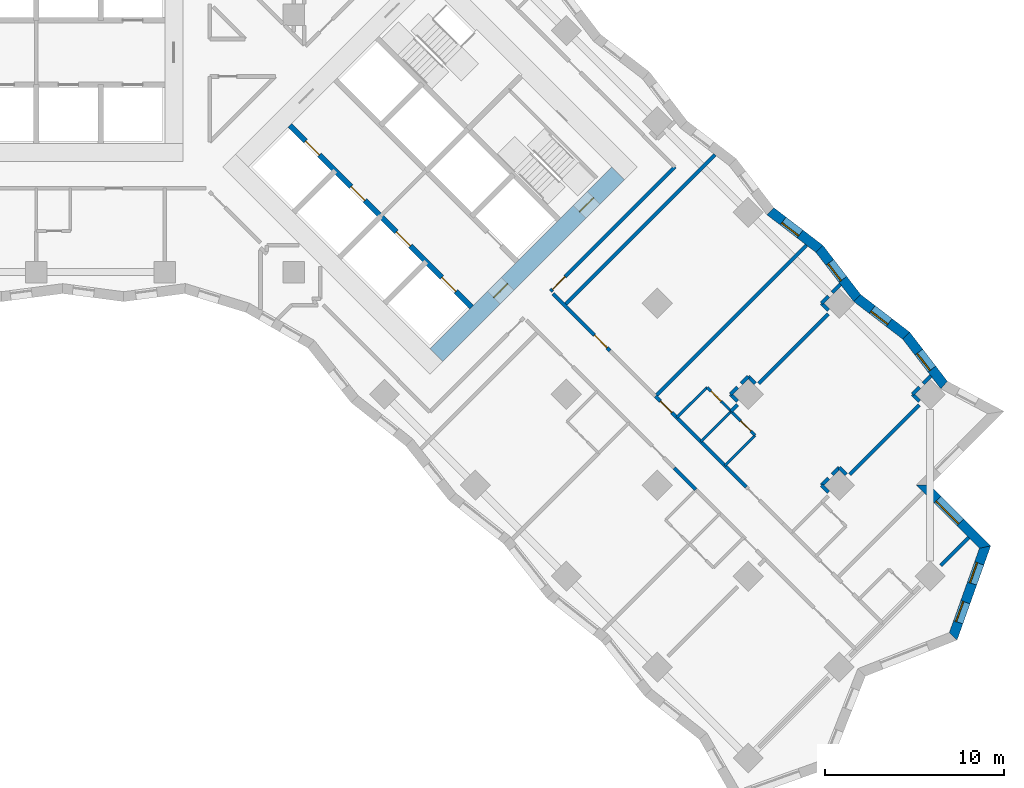
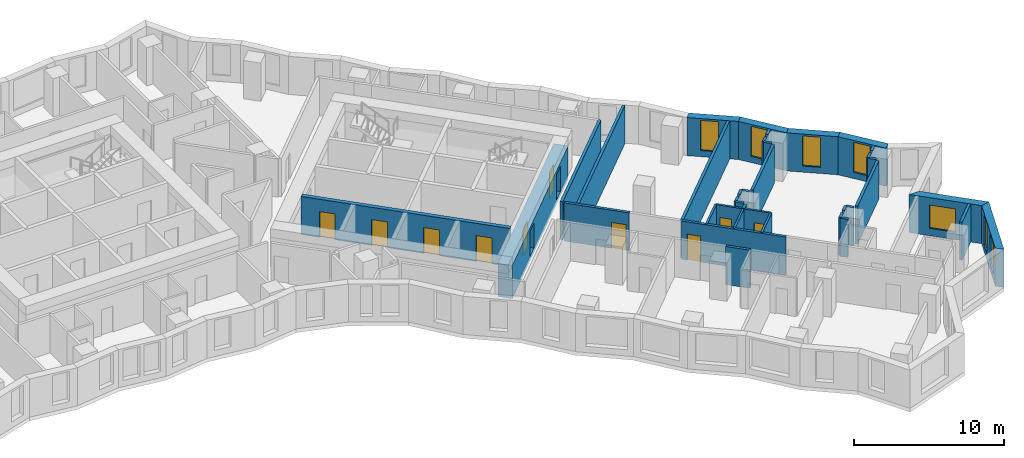
# One storey, part 9 of 14: 37 walls, 11 doors, 7 windows, 18 openings.
"""IFC4 building model written with IfcOpenShell, lengths in metres."""

from ifc_helpers import new_model, si_unit, direction, frame, frame_2d, origin, place, context, subcontext, project, spatial, polyline, rectangle, outline, extrude, material, layer, layer_set, type_object, element, fill, save


model = new_model("IFC4")

# Units and contexts
model_context = context("Model", 3, precision=1e-05, world=origin(), true_north=direction((0.0, 1.0)))
body_context = subcontext(model_context, "Body", "Model", "MODEL_VIEW")
ifc_project = project(units=[si_unit("LENGTHUNIT", "METRE"), si_unit("AREAUNIT", "SQUARE_METRE"), si_unit("VOLUMEUNIT", "CUBIC_METRE"), si_unit("PLANEANGLEUNIT", "RADIAN"), si_unit("MASSUNIT", "GRAM", prefix="KILO")], contexts=[model_context])

# Site, building, storey
site_placement = place(None, origin())
site = spatial("IfcSite", under=ifc_project, at=site_placement, CompositionType="ELEMENT")
building_placement = place(site_placement, origin())
building = spatial("IfcBuilding", under=site, at=building_placement, Name="Windrow Commons", CompositionType="ELEMENT")
storey_placement = place(building_placement, frame((0.0, 0.0, 44.0)))
storey = spatial("IfcBuildingStorey", under=building, at=storey_placement, Name="L11", CompositionType="ELEMENT", Elevation=44.0)

# Wall, openings, windows
ifc_material_1 = material(Name="Brick masonry, red clay brick", Category="masonry")
ifc_layer_1 = layer(ifc_material_1, 0.55)
ifc_layer_set_1 = layer_set([ifc_layer_1], Name="Brick facade wall 550")
wall_type_1 = type_object("IfcWallType", Name="Brick facade wall 550", PredefinedType="SOLIDWALL", material=ifc_layer_set_1)
wall_1_placement = place(storey_placement, frame((116.1324, 22.8096, 0.0), z_axis=(0.0, 0.0, 1.0), x_axis=(0.3360509292, 0.9418438156, 0.0)))
wall_1 = element("IfcWall", 1, at=wall_1_placement, inside=storey, type_object=wall_type_1, Name="Brick facade wall L11 4", PredefinedType="SOLIDWALL", context=body_context, shape_type="SweptSolid", body=[
    extrude(outline(polyline([(-0.1249, -0.275), (5.4779, -0.275), (5.13, 0.275), (0.1249, 0.275), (-0.1249, -0.275)])), origin(), (0.0, 0.0, 1.0), 3.1),
])
opening_1_placement = place(wall_1_placement, frame((0.8315, 0.0, 0.5)))
opening_1 = element("IfcOpeningElement", 2, at=opening_1_placement, cuts=wall_1, Name="Opening W7D", PredefinedType="OPENING", context=body_context, shape_type="SweptSolid", body=[
    extrude(rectangle(XDim=1.2, YDim=2.45, at=frame_2d((0.6, 1.225))), frame((0.0, 0.285, 0.0), z_axis=(0.0, -1.0, 0.0), x_axis=(1.0, 0.0, 0.0)), (0.0, 0.0, 1.0), 0.57),
])
opening_2_placement = place(wall_1_placement, frame((3.134, 0.0, 0.5)))
opening_2 = element("IfcOpeningElement", 3, at=opening_2_placement, cuts=wall_1, Name="Opening W7D", PredefinedType="OPENING", context=body_context, shape_type="SweptSolid", body=[
    extrude(rectangle(XDim=1.2, YDim=2.45, at=frame_2d((0.6, 1.225))), frame((0.0, 0.285, 0.0), z_axis=(0.0, -1.0, 0.0), x_axis=(1.0, 0.0, 0.0)), (0.0, 0.0, 1.0), 0.57),
])
ifc_material_2 = material(Name="Clear float glass in anodised aluminium frame", Category="aluminium")
window_type_1 = type_object("IfcWindowType", Name="Window W7 notch 1200x2450", PartitioningType="SINGLE_PANEL", PredefinedType="WINDOW", material=ifc_material_2)
window_1_placement = place(opening_1_placement, origin())
window_1 = element("IfcWindow", 4, at=window_1_placement, inside=storey, type_object=window_type_1, Name="Window L11 4.1", OverallHeight=2.45, OverallWidth=1.2, PartitioningType="SINGLE_PANEL", PredefinedType="WINDOW", context=body_context, shape_type="SweptSolid", body=[
    extrude(rectangle(XDim=1.2, YDim=2.45, at=frame_2d((0.6, 1.225))), frame((0.0, 0.155, 0.0), z_axis=(0.0, -1.0, 0.0), x_axis=(1.0, 0.0, 0.0)), (0.0, 0.0, 1.0), 0.06),
])
fill(opening_1, window_1)
window_2_placement = place(opening_2_placement, origin())
window_2 = element("IfcWindow", 5, at=window_2_placement, inside=storey, type_object=window_type_1, Name="Window L11 4.2", OverallHeight=2.45, OverallWidth=1.2, PartitioningType="SINGLE_PANEL", PredefinedType="WINDOW", context=body_context, shape_type="SweptSolid", body=[
    extrude(rectangle(XDim=1.2, YDim=2.45, at=frame_2d((0.6, 1.225))), frame((0.0, 0.155, 0.0), z_axis=(0.0, -1.0, 0.0), x_axis=(1.0, 0.0, 0.0)), (0.0, 0.0, 1.0), 0.06),
])
fill(opening_2, window_2)

# Wall, opening, window
wall_2_placement = place(storey_placement, frame((117.9148, 27.8051, 0.0), z_axis=(0.0, 0.0, 1.0), x_axis=(-0.7071067812, 0.7071067812, 0.0)))
wall_2 = element("IfcWall", 6, at=wall_2_placement, inside=storey, type_object=wall_type_1, Name="Brick facade wall L11 5", PredefinedType="SOLIDWALL", context=body_context, shape_type="SweptSolid", body=[
    extrude(outline(polyline([(-0.174, -0.275), (4.626, -0.275), (5.176, 0.275), (0.174, 0.275), (-0.174, -0.275)])), origin(), (0.0, 0.0, 1.0), 3.1),
])
opening_3_placement = place(wall_2_placement, frame((1.9635, 0.0, 0.6)))
opening_3 = element("IfcOpeningElement", 7, at=opening_3_placement, cuts=wall_2, Name="Opening W1L", PredefinedType="OPENING", context=body_context, shape_type="SweptSolid", body=[
    extrude(rectangle(XDim=1.8, YDim=1.9, at=frame_2d((0.9, 0.95))), frame((0.0, 0.285, 0.0), z_axis=(0.0, -1.0, 0.0), x_axis=(1.0, 0.0, 0.0)), (0.0, 0.0, 1.0), 0.57),
])
ifc_material_3 = material(Name="Clear float glass in anodised aluminium frame", Category="aluminium")
window_type_2 = type_object("IfcWindowType", Name="Window W1L bedroom 1800x1900", PartitioningType="SINGLE_PANEL", PredefinedType="WINDOW", material=ifc_material_3)
window_3_placement = place(opening_3_placement, origin())
window_3 = element("IfcWindow", 8, at=window_3_placement, inside=storey, type_object=window_type_2, Name="Window L11 5.1", OverallHeight=1.9, OverallWidth=1.8, PartitioningType="SINGLE_PANEL", PredefinedType="WINDOW", context=body_context, shape_type="SweptSolid", body=[
    extrude(rectangle(XDim=1.8, YDim=1.9, at=frame_2d((0.9, 0.95))), frame((0.0, 0.155, 0.0), z_axis=(0.0, -1.0, 0.0), x_axis=(1.0, 0.0, 0.0)), (0.0, 0.0, 1.0), 0.06),
])
fill(opening_3, window_3)

wall_3_placement = place(storey_placement, frame((115.6228, 36.8777, 0.0), z_axis=(0.0, 0.0, 1.0), x_axis=(-0.6089799783, 0.7931855937, 0.0)))
wall_3 = element("IfcWall", 9, at=wall_3_placement, inside=storey, type_object=wall_type_1, Name="Brick facade wall L11 8", PredefinedType="SOLIDWALL", context=body_context, shape_type="SweptSolid", body=[
    extrude(outline(polyline([(0.0597, -0.275), (3.5225, -0.275), (3.4502, 0.275), (-0.0597, 0.275), (0.0597, -0.275)])), origin(), (0.0, 0.0, 1.0), 3.1),
])
opening_4_placement = place(wall_3_placement, frame((1.1251, 0.0, 0.5)))
opening_4 = element("IfcOpeningElement", 10, at=opening_4_placement, cuts=wall_3, Name="Opening W7D", PredefinedType="OPENING", context=body_context, shape_type="SweptSolid", body=[
    extrude(rectangle(XDim=1.2, YDim=2.45, at=frame_2d((0.6, 1.225))), frame((0.0, 0.285, 0.0), z_axis=(0.0, -1.0, 0.0), x_axis=(1.0, 0.0, 0.0)), (0.0, 0.0, 1.0), 0.57),
])
window_4_placement = place(opening_4_placement, origin())
window_4 = element("IfcWindow", 11, at=window_4_placement, inside=storey, type_object=window_type_1, Name="Window L11 8.1", OverallHeight=2.45, OverallWidth=1.2, PartitioningType="SINGLE_PANEL", PredefinedType="WINDOW", context=body_context, shape_type="SweptSolid", body=[
    extrude(rectangle(XDim=1.2, YDim=2.45, at=frame_2d((0.6, 1.225))), frame((0.0, 0.155, 0.0), z_axis=(0.0, -1.0, 0.0), x_axis=(1.0, 0.0, 0.0)), (0.0, 0.0, 1.0), 0.06),
])
fill(opening_4, window_4)

wall_4_placement = place(storey_placement, frame((113.4997, 39.643, 0.0), z_axis=(0.0, 0.0, 1.0), x_axis=(-0.7931776144, 0.6089903711, 0.0)))
wall_4 = element("IfcWall", 12, at=wall_4_placement, inside=storey, type_object=wall_type_1, Name="Brick facade wall L11 9", PredefinedType="SOLIDWALL", context=body_context, shape_type="SweptSolid", body=[
    extrude(outline(polyline([(-0.0361, -0.275), (3.4266, -0.275), (3.4989, 0.275), (0.0361, 0.275), (-0.0361, -0.275)])), origin(), (0.0, 0.0, 1.0), 3.1),
])
opening_5_placement = place(wall_4_placement, frame((1.1995, 0.0, 0.5)))
opening_5 = element("IfcOpeningElement", 13, at=opening_5_placement, cuts=wall_4, Name="Opening W7D", PredefinedType="OPENING", context=body_context, shape_type="SweptSolid", body=[
    extrude(rectangle(XDim=1.2, YDim=2.45, at=frame_2d((0.6, 1.225))), frame((0.0, 0.285, 0.0), z_axis=(0.0, -1.0, 0.0), x_axis=(1.0, 0.0, 0.0)), (0.0, 0.0, 1.0), 0.57),
])
window_5_placement = place(opening_5_placement, origin())
window_5 = element("IfcWindow", 14, at=window_5_placement, inside=storey, type_object=window_type_1, Name="Window L11 9.1", OverallHeight=2.45, OverallWidth=1.2, PartitioningType="SINGLE_PANEL", PredefinedType="WINDOW", context=body_context, shape_type="SweptSolid", body=[
    extrude(rectangle(XDim=1.2, YDim=2.45, at=frame_2d((0.6, 1.225))), frame((0.0, 0.155, 0.0), z_axis=(0.0, -1.0, 0.0), x_axis=(1.0, 0.0, 0.0)), (0.0, 0.0, 1.0), 0.06),
])
fill(opening_5, window_5)

wall_5_placement = place(storey_placement, frame((110.7531, 41.7518, 0.0), z_axis=(0.0, 0.0, 1.0), x_axis=(-0.6090043207, 0.7931669038, 0.0)))
wall_5 = element("IfcWall", 15, at=wall_5_placement, inside=storey, type_object=wall_type_1, Name="Brick facade wall L11 10", PredefinedType="SOLIDWALL", context=body_context, shape_type="SweptSolid", body=[
    extrude(outline(polyline([(0.0361, -0.275), (3.4989, -0.275), (3.4266, 0.275), (-0.0361, 0.275), (0.0361, -0.275)])), origin(), (0.0, 0.0, 1.0), 3.1),
])
opening_6_placement = place(wall_5_placement, frame((1.3155, 0.0, 0.5)))
opening_6 = element("IfcOpeningElement", 16, at=opening_6_placement, cuts=wall_5, Name="Opening W7D", PredefinedType="OPENING", context=body_context, shape_type="SweptSolid", body=[
    extrude(rectangle(XDim=1.2, YDim=2.45, at=frame_2d((0.6, 1.225))), frame((0.0, 0.285, 0.0), z_axis=(0.0, -1.0, 0.0), x_axis=(1.0, 0.0, 0.0)), (0.0, 0.0, 1.0), 0.57),
])
window_6_placement = place(opening_6_placement, origin())
window_6 = element("IfcWindow", 17, at=window_6_placement, inside=storey, type_object=window_type_1, Name="Window L11 10.1", OverallHeight=2.45, OverallWidth=1.2, PartitioningType="SINGLE_PANEL", PredefinedType="WINDOW", context=body_context, shape_type="SweptSolid", body=[
    extrude(rectangle(XDim=1.2, YDim=2.45, at=frame_2d((0.6, 1.225))), frame((0.0, 0.155, 0.0), z_axis=(0.0, -1.0, 0.0), x_axis=(1.0, 0.0, 0.0)), (0.0, 0.0, 1.0), 0.06),
])
fill(opening_6, window_6)

wall_6_placement = place(storey_placement, frame((108.6443, 44.4983, 0.0), z_axis=(0.0, 0.0, 1.0), x_axis=(-0.7931776144, 0.6089903711, 0.0)))
wall_6 = element("IfcWall", 18, at=wall_6_placement, inside=storey, type_object=wall_type_1, Name="Brick facade wall L11 11", PredefinedType="SOLIDWALL", context=body_context, shape_type="SweptSolid", body=[
    extrude(outline(polyline([(-0.0361, -0.275), (3.4266, -0.275), (3.4989, 0.275), (0.0361, 0.275), (-0.0361, -0.275)])), origin(), (0.0, 0.0, 1.0), 3.1),
])
opening_7_placement = place(wall_6_placement, frame((1.3677, 0.0, 0.5)))
opening_7 = element("IfcOpeningElement", 19, at=opening_7_placement, cuts=wall_6, Name="Opening W7D", PredefinedType="OPENING", context=body_context, shape_type="SweptSolid", body=[
    extrude(rectangle(XDim=1.2, YDim=2.45, at=frame_2d((0.6, 1.225))), frame((0.0, 0.285, 0.0), z_axis=(0.0, -1.0, 0.0), x_axis=(1.0, 0.0, 0.0)), (0.0, 0.0, 1.0), 0.57),
])
window_7_placement = place(opening_7_placement, origin())
window_7 = element("IfcWindow", 20, at=window_7_placement, inside=storey, type_object=window_type_1, Name="Window L11 11.1", OverallHeight=2.45, OverallWidth=1.2, PartitioningType="SINGLE_PANEL", PredefinedType="WINDOW", context=body_context, shape_type="SweptSolid", body=[
    extrude(rectangle(XDim=1.2, YDim=2.45, at=frame_2d((0.6, 1.225))), frame((0.0, 0.155, 0.0), z_axis=(0.0, -1.0, 0.0), x_axis=(1.0, 0.0, 0.0)), (0.0, 0.0, 1.0), 0.06),
])
fill(opening_7, window_7)

# Wall, opening, door
ifc_material_4 = material(Name="Blockwork partition", Category="masonry")
ifc_layer_2 = layer(ifc_material_4, 0.2)
ifc_layer_set_2 = layer_set([ifc_layer_2], Name="IW-CORRIDOR-200")
wall_type_2 = type_object("IfcWallType", Name="IW-CORRIDOR-200", PredefinedType="PARTITIONING", material=ifc_layer_set_2)
wall_7_placement = place(storey_placement, frame((93.5896, 42.1264, 0.0), z_axis=(0.0, 0.0, 1.0), x_axis=(0.7071067812, 0.7071067812, 0.0)))
wall_7 = element("IfcWall", 21, at=wall_7_placement, inside=storey, type_object=wall_type_2, Name="W-L11-W011", PredefinedType="PARTITIONING", context=body_context, shape_type="SweptSolid", body=[
    extrude(rectangle(XDim=9.8486, YDim=0.2, at=frame_2d((4.9243, 0.0))), origin(), (0.0, 0.0, 1.0), 3.1),
])
opening_8_placement = place(wall_7_placement, frame((0.1482, 0.0, 0.0)))
opening_8 = element("IfcOpeningElement", 22, at=opening_8_placement, cuts=wall_7, Name="Opening D310F", PredefinedType="OPENING", context=body_context, shape_type="SweptSolid", body=[
    extrude(rectangle(XDim=1.0, YDim=2.1, at=frame_2d((0.5, 1.05))), frame((0.0, 0.11, 0.0), z_axis=(0.0, -1.0, 0.0), x_axis=(1.0, 0.0, 0.0)), (0.0, 0.0, 1.0), 0.22),
])
ifc_material_5 = material(Name="Timber door leaf", Category="wood")
door_type_1 = type_object("IfcDoorType", Name="DT-AMENITY-1000", OperationType="SINGLE_SWING_LEFT", PredefinedType="DOOR", material=ifc_material_5)
door_1_placement = place(opening_8_placement, origin())
door_1 = element("IfcDoor", 23, at=door_1_placement, inside=storey, type_object=door_type_1, Name="D-L11-D039", OperationType="SINGLE_SWING_LEFT", OverallHeight=2.1, OverallWidth=1.0, PredefinedType="DOOR", context=body_context, shape_type="SweptSolid", body=[
    extrude(rectangle(XDim=1.0, YDim=2.1, at=frame_2d((0.5, 1.05))), frame((0.0, 0.025, 0.0), z_axis=(0.0, -1.0, 0.0), x_axis=(1.0, 0.0, 0.0)), (0.0, 0.0, 1.0), 0.05),
])
fill(opening_8, door_1)

wall_8_placement = place(storey_placement, frame((99.455, 36.253, 0.0), z_axis=(0.0, 0.0, 1.0), x_axis=(0.7071067812, -0.7071067812, 0.0)))
wall_8 = element("IfcWall", 24, at=wall_8_placement, inside=storey, type_object=wall_type_2, Name="W-L11-W017", PredefinedType="PARTITIONING", context=body_context, shape_type="SweptSolid", body=[
    extrude(rectangle(XDim=7.2012, YDim=0.2, at=frame_2d((3.6006, 0.0))), origin(), (0.0, 0.0, 1.0), 3.1),
])
opening_9_placement = place(wall_8_placement, frame((0.4006, 0.0, 0.0)))
opening_9 = element("IfcOpeningElement", 25, at=opening_9_placement, cuts=wall_8, Name="Opening D109S", PredefinedType="OPENING", context=body_context, shape_type="SweptSolid", body=[
    extrude(rectangle(XDim=0.9, YDim=2.1, at=frame_2d((0.45, 1.05))), frame((0.0, 0.11, 0.0), z_axis=(0.0, -1.0, 0.0), x_axis=(1.0, 0.0, 0.0)), (0.0, 0.0, 1.0), 0.22),
])
ifc_material_6 = material(Name="Timber door leaf", Category="wood")
door_type_2 = type_object("IfcDoorType", Name="DT-BEDROOM-900", OperationType="SINGLE_SWING_LEFT", PredefinedType="DOOR", material=ifc_material_6)
door_2_placement = place(opening_9_placement, origin())
door_2 = element("IfcDoor", 26, at=door_2_placement, inside=storey, type_object=door_type_2, Name="D-L11-D041", OperationType="SINGLE_SWING_RIGHT", OverallHeight=2.1, OverallWidth=0.9, PredefinedType="DOOR", context=body_context, shape_type="SweptSolid", body=[
    extrude(rectangle(XDim=0.9, YDim=2.1, at=frame_2d((0.45, 1.05))), frame((0.0, 0.025, 0.0), z_axis=(0.0, -1.0, 0.0), x_axis=(1.0, 0.0, 0.0)), (0.0, 0.0, 1.0), 0.05),
])
fill(opening_9, door_2)

wall_9_placement = place(storey_placement, frame((93.735, 41.987, 0.0), z_axis=(0.0, 0.0, 1.0), x_axis=(0.7071067812, -0.7071067812, 0.0)))
wall_9 = element("IfcWall", 27, at=wall_9_placement, inside=storey, type_object=wall_type_2, Name="W-L11-W045", PredefinedType="PARTITIONING", context=body_context, shape_type="SweptSolid", body=[
    extrude(rectangle(XDim=4.5, YDim=0.2, at=frame_2d((2.25, 0.0))), origin(), (0.0, 0.0, 1.0), 3.1),
])
opening_10_placement = place(wall_9_placement, frame((3.2736, 0.0, 0.0)))
opening_10 = element("IfcOpeningElement", 28, at=opening_10_placement, cuts=wall_9, Name="Opening D310F", PredefinedType="OPENING", context=body_context, shape_type="SweptSolid", body=[
    extrude(rectangle(XDim=1.0, YDim=2.1, at=frame_2d((0.5, 1.05))), frame((0.0, 0.11, 0.0), z_axis=(0.0, -1.0, 0.0), x_axis=(1.0, 0.0, 0.0)), (0.0, 0.0, 1.0), 0.22),
])
door_3_placement = place(opening_10_placement, origin())
door_3 = element("IfcDoor", 29, at=door_3_placement, inside=storey, type_object=door_type_1, Name="D-L11-D040", OperationType="SINGLE_SWING_RIGHT", OverallHeight=2.1, OverallWidth=1.0, PredefinedType="DOOR", context=body_context, shape_type="SweptSolid", body=[
    extrude(rectangle(XDim=1.0, YDim=2.1, at=frame_2d((0.5, 1.05))), frame((0.0, 0.025, 0.0), z_axis=(0.0, -1.0, 0.0), x_axis=(1.0, 0.0, 0.0)), (0.0, 0.0, 1.0), 0.05),
])
fill(opening_10, door_3)

# Walls
wall_10_placement = place(storey_placement, frame((100.5231, 32.2291, 0.0), z_axis=(0.0, 0.0, 1.0), x_axis=(0.7071067812, -0.7071067812, 0.0)))
element("IfcWall", 30, at=wall_10_placement, inside=storey, type_object=wall_type_2, Name="W-L11-W150", PredefinedType="PARTITIONING", context=body_context, shape_type="SweptSolid", body=[
    extrude(rectangle(XDim=1.6999, YDim=0.2, at=frame_2d((0.8499, 0.0))), origin(), (0.0, 0.0, 1.0), 3.1),
])
ifc_material_7 = material(Name="Blockwork partition", Category="masonry")
ifc_layer_3 = layer(ifc_material_7, 0.15)
ifc_layer_set_3 = layer_set([ifc_layer_3], Name="IW-ENSUITE-150")
wall_type_3 = type_object("IfcWallType", Name="IW-ENSUITE-150", PredefinedType="PARTITIONING", material=ifc_layer_set_3)
wall_11_placement = place(storey_placement, frame((102.0032, 33.7108, 0.0), z_axis=(0.0, 0.0, 1.0), x_axis=(0.7071067812, 0.7071067812, 0.0)))
element("IfcWall", 31, at=wall_11_placement, inside=storey, type_object=wall_type_3, Name="W-L11-W074", PredefinedType="PARTITIONING", context=body_context, shape_type="SweptSolid", body=[
    extrude(rectangle(XDim=2.4013, YDim=0.15, at=frame_2d((1.2006, 0.0))), origin(), (0.0, 0.0, 1.0), 3.1),
])
for number, where, z_axis, x_axis, name in (
    (32, (100.6573, 35.0568, 0.0), (0.0, 0.0, 1.0), (0.7075233388, 0.706689978, 0.0), "W-L11-W104"),
    (33, (103.3491, 32.3649, 0.0), (0.0, 0.0, 1.0), (0.706689978, 0.7075233388, 0.0), "W-L11-W107"),
):
    element("IfcWall", number, at=place(storey_placement, frame(where, z_axis=z_axis, x_axis=x_axis)), inside=storey, type_object=wall_type_3, Name=name, PredefinedType="PARTITIONING", context=body_context, shape_type="SweptSolid", body=[
        extrude(rectangle(XDim=2.3999, YDim=0.15, at=frame_2d((1.2, 0.0))), origin(), (0.0, 0.0, 1.0), 3.1),
    ])

# Wall, opening, door
wall_12_placement = place(storey_placement, frame((103.7009, 35.4069, 0.0), z_axis=(0.0, 0.0, 1.0), x_axis=(0.7065800724, -0.7076330979, 0.0)))
wall_12 = element("IfcWall", 34, at=wall_12_placement, inside=storey, type_object=wall_type_3, Name="W-L11-W140", PredefinedType="PARTITIONING", context=body_context, shape_type="SweptSolid", body=[
    extrude(rectangle(XDim=1.8993, YDim=0.15, at=frame_2d((0.9496, 0.0))), origin(), (0.0, 0.0, 1.0), 3.1),
])
opening_11_placement = place(wall_12_placement, frame((0.7593, 0.0, 0.0)))
opening_11 = element("IfcOpeningElement", 35, at=opening_11_placement, cuts=wall_12, Name="Opening D208N", PredefinedType="OPENING", context=body_context, shape_type="SweptSolid", body=[
    extrude(rectangle(XDim=0.8, YDim=2.1, at=frame_2d((0.4, 1.05))), frame((0.0, 0.085, 0.0), z_axis=(0.0, -1.0, 0.0), x_axis=(1.0, 0.0, 0.0)), (0.0, 0.0, 1.0), 0.17),
])
ifc_material_8 = material(Name="Timber door leaf", Category="wood")
door_type_3 = type_object("IfcDoorType", Name="DT-ENSUITE-800", OperationType="SINGLE_SWING_LEFT", PredefinedType="DOOR", material=ifc_material_8)
door_4_placement = place(opening_11_placement, origin())
door_4 = element("IfcDoor", 36, at=door_4_placement, inside=storey, type_object=door_type_3, Name="D-L11-D044", OperationType="SINGLE_SWING_RIGHT", OverallHeight=2.1, OverallWidth=0.8, PredefinedType="DOOR", context=body_context, shape_type="SweptSolid", body=[
    extrude(rectangle(XDim=0.8, YDim=2.1, at=frame_2d((0.4, 1.05))), frame((0.0, 0.025, 0.0), z_axis=(0.0, -1.0, 0.0), x_axis=(1.0, 0.0, 0.0)), (0.0, 0.0, 1.0), 0.05),
])
fill(opening_11, door_4)

wall_13_placement = place(storey_placement, frame((102.3583, 36.7503, 0.0), z_axis=(0.0, 0.0, 1.0), x_axis=(0.7076330979, -0.7065800724, 0.0)))
wall_13 = element("IfcWall", 37, at=wall_13_placement, inside=storey, type_object=wall_type_3, Name="W-L11-W142", PredefinedType="PARTITIONING", context=body_context, shape_type="SweptSolid", body=[
    extrude(rectangle(XDim=1.8993, YDim=0.15, at=frame_2d((0.9496, 0.0))), origin(), (0.0, 0.0, 1.0), 3.1),
])
opening_12_placement = place(wall_13_placement, frame((0.2965, 0.0, 0.0)))
opening_12 = element("IfcOpeningElement", 38, at=opening_12_placement, cuts=wall_13, Name="Opening D208N", PredefinedType="OPENING", context=body_context, shape_type="SweptSolid", body=[
    extrude(rectangle(XDim=0.8, YDim=2.1, at=frame_2d((0.4, 1.05))), frame((0.0, 0.085, 0.0), z_axis=(0.0, -1.0, 0.0), x_axis=(1.0, 0.0, 0.0)), (0.0, 0.0, 1.0), 0.17),
])
door_5_placement = place(opening_12_placement, origin())
door_5 = element("IfcDoor", 39, at=door_5_placement, inside=storey, type_object=door_type_3, Name="D-L11-D042", OperationType="SINGLE_SWING_RIGHT", OverallHeight=2.1, OverallWidth=0.8, PredefinedType="DOOR", context=body_context, shape_type="SweptSolid", body=[
    extrude(rectangle(XDim=0.8, YDim=2.1, at=frame_2d((0.4, 1.05))), frame((0.0, 0.025, 0.0), z_axis=(0.0, -1.0, 0.0), x_axis=(1.0, 0.0, 0.0)), (0.0, 0.0, 1.0), 0.05),
])
fill(opening_12, door_5)

# Walls
ifc_material_9 = material(Name="Blockwork partition", Category="masonry")
ifc_layer_4 = layer(ifc_material_9, 0.2)
ifc_layer_set_4 = layer_set([ifc_layer_4], Name="IW-PARTY-200")
wall_type_4 = type_object("IfcWallType", Name="IW-PARTY-200", PredefinedType="PARTITIONING", material=ifc_layer_set_4)
wall_14_placement = place(storey_placement, frame((99.4589, 36.2551, 0.0), z_axis=(0.0, 0.0, 1.0), x_axis=(0.7071903932, 0.7070231593, 0.0)))
element("IfcWall", 40, at=wall_14_placement, inside=storey, type_object=wall_type_4, Name="W-L11-W005", PredefinedType="PARTITIONING", context=body_context, shape_type="SweptSolid", body=[
    extrude(rectangle(XDim=11.9593, YDim=0.2, at=frame_2d((5.9797, 0.0))), origin(), (0.0, 0.0, 1.0), 3.1),
])
wall_15_placement = place(storey_placement, frame((94.3674, 41.3486, 0.0), z_axis=(0.0, 0.0, 1.0), x_axis=(0.7071109781, 0.7071025843, 0.0)))
element("IfcWall", 41, at=wall_15_placement, inside=storey, type_object=wall_type_4, Name="W-L11-W006", PredefinedType="PARTITIONING", context=body_context, shape_type="SweptSolid", body=[
    extrude(rectangle(XDim=11.9135, YDim=0.2, at=frame_2d((5.9568, 0.0))), origin(), (0.0, 0.0, 1.0), 3.1),
])
for number, where, z_axis, x_axis, name in (
    (42, (110.3454, 31.8706, 0.0), (0.0, 0.0, 1.0), (0.7071067812, 0.7071067812, 0.0), "W-L11-W033"),
    (43, (105.2552, 36.9628, 0.0), (0.0, 0.0, 1.0), (0.7071067812, 0.7071067812, 0.0), "W-L11-W034"),
):
    element("IfcWall", number, at=place(storey_placement, frame(where, z_axis=z_axis, x_axis=x_axis)), inside=storey, type_object=wall_type_4, Name=name, PredefinedType="PARTITIONING", context=body_context, shape_type="SweptSolid", body=[
        extrude(rectangle(XDim=5.5041, YDim=0.2, at=frame_2d((2.7521, 0.0))), origin(), (0.0, 0.0, 1.0), 3.1),
    ])
wall_16_placement = place(storey_placement, frame((115.4375, 26.7805, 0.0), z_axis=(0.0, 0.0, 1.0), x_axis=(0.7071067812, 0.7071067812, 0.0)))
element("IfcWall", 44, at=wall_16_placement, inside=storey, type_object=wall_type_4, Name="W-L11-W113", PredefinedType="PARTITIONING", context=body_context, shape_type="SweptSolid", body=[
    extrude(rectangle(XDim=2.2012, YDim=0.2, at=frame_2d((1.1006, 0.0))), origin(), (0.0, 0.0, 1.0), 3.1),
])
wall_17_placement = place(storey_placement, frame((109.3572, 42.0548, 0.0), z_axis=(0.0, 0.0, 1.0), x_axis=(0.7071067812, 0.7071067812, 0.0)))
element("IfcWall", 45, at=wall_17_placement, inside=storey, type_object=wall_type_4, Name="W-L11-W166", PredefinedType="PARTITIONING", context=body_context, shape_type="SweptSolid", body=[
    extrude(rectangle(XDim=0.6532, YDim=0.2, at=frame_2d((0.3266, 0.0))), origin(), (0.0, 0.0, 1.0), 3.1),
])
wall_18_placement = place(storey_placement, frame((114.4474, 36.9626, 0.0), z_axis=(0.0, 0.0, 1.0), x_axis=(0.7071067812, 0.7071067812, 0.0)))
element("IfcWall", 46, at=wall_18_placement, inside=storey, type_object=wall_type_4, Name="W-L11-W167", PredefinedType="PARTITIONING", context=body_context, shape_type="SweptSolid", body=[
    extrude(rectangle(XDim=0.6108, YDim=0.2, at=frame_2d((0.3054, 0.0))), origin(), (0.0, 0.0, 1.0), 3.1),
])
for number, where, z_axis, x_axis, name in (
    (47, (113.8434, 36.3586, 0.0), (0.0, 0.0, 1.0), (0.7071067812, 0.7071067812, 0.0), "W-L11-W168"),
    (48, (108.7532, 41.4508, 0.0), (0.0, 0.0, 1.0), (0.7071067812, 0.7071067812, 0.0), "W-L11-W169"),
    (49, (108.7536, 31.2676, 0.0), (0.0, 0.0, 1.0), (0.7071067812, -0.7071067812, 0.0), "W-L11-W170"),
    (50, (109.7507, 32.2647, 0.0), (0.0, 0.0, 1.0), (0.7071067812, -0.7071067812, 0.0), "W-L11-W171"),
    (51, (109.3554, 31.8706, 0.0), (0.0, 0.0, 1.0), (0.7071067812, 0.7071067812, 0.0), "W-L11-W173"),
    (52, (108.7538, 41.4498, 0.0), (0.0, 0.0, 1.0), (0.7071067812, -0.7071067812, 0.0), "W-L11-W175"),
    (53, (108.7534, 31.2686, 0.0), (0.0, 0.0, 1.0), (0.7071067812, 0.7071067812, 0.0), "W-L11-W176"),
    (54, (103.6612, 36.3588, 0.0), (0.0, 0.0, 1.0), (0.7071067812, 0.7071067812, 0.0), "W-L11-W177"),
    (55, (104.2652, 36.9628, 0.0), (0.0, 0.0, 1.0), (0.7071067812, 0.7071067812, 0.0), "W-L11-W178"),
):
    element("IfcWall", number, at=place(storey_placement, frame(where, z_axis=z_axis, x_axis=x_axis)), inside=storey, type_object=wall_type_4, Name=name, PredefinedType="PARTITIONING", context=body_context, shape_type="SweptSolid", body=[
        extrude(rectangle(XDim=0.5572, YDim=0.2, at=frame_2d((0.2786, 0.0))), origin(), (0.0, 0.0, 1.0), 3.1),
    ])
for number, where, z_axis, x_axis, name in (
    (56, (104.6591, 37.3551, 0.0), (0.0, 0.0, 1.0), (0.705305244, -0.7089037401, 0.0), "W-L11-W179"),
    (57, (103.6636, 36.3596, 0.0), (0.0, 0.0, 1.0), (0.7089037401, -0.705305244, 0.0), "W-L11-W180"),
    (58, (113.8446, 36.3586, 0.0), (0.0, 0.0, 1.0), (0.7089037401, -0.705305244, 0.0), "W-L11-W181"),
):
    element("IfcWall", number, at=place(storey_placement, frame(where, z_axis=z_axis, x_axis=x_axis)), inside=storey, type_object=wall_type_4, Name=name, PredefinedType="PARTITIONING", context=body_context, shape_type="SweptSolid", body=[
        extrude(rectangle(XDim=0.5558, YDim=0.2, at=frame_2d((0.2779, 0.0))), origin(), (0.0, 0.0, 1.0), 3.1),
    ])
wall_19_placement = place(storey_placement, frame((103.7012, 35.4088, 0.0), z_axis=(0.0, 0.0, 1.0), x_axis=(0.7071067812, 0.7071067812, 0.0)))
element("IfcWall", 59, at=wall_19_placement, inside=storey, type_object=wall_type_4, Name="W-L11-W186", PredefinedType="PARTITIONING", context=body_context, shape_type="SweptSolid", body=[
    extrude(rectangle(XDim=0.5006, YDim=0.2, at=frame_2d((0.2503, 0.0))), origin(), (0.0, 0.0, 1.0), 3.1),
])

# Wall, openings, doors
ifc_material_10 = material(Name="Concrete C60/75", Category="concrete")
ifc_layer_5 = layer(ifc_material_10, 1.0)
ifc_layer_set_5 = layer_set([ifc_layer_5], Name="RC CORE WALL 1000 C60/75")
wall_type_5 = type_object("IfcWallType", Name="RC CORE WALL 1000 C60/75", PredefinedType="SHEAR", material=ifc_layer_set_5)
wall_20_placement = place(storey_placement, frame((87.1903, 38.5538, -0.3), z_axis=(0.0, 0.0, 1.0), x_axis=(0.707103309, 0.7071102534, 0.0)))
wall_20 = element("IfcWall", 60, at=wall_20_placement, inside=storey, type_object=wall_type_5, Name="Core B wall outer-E", PredefinedType="SHEAR", context=body_context, shape_type="SweptSolid", body=[
    extrude(rectangle(XDim=14.4, YDim=1.0, at=frame_2d((7.2, 0.0))), origin(), (0.0, 0.0, 1.0), 2.7),
])
opening_13_placement = place(wall_20_placement, frame((4.55, 0.0, 0.3)))
opening_13 = element("IfcOpeningElement", 61, at=opening_13_placement, cuts=wall_20, Name="Opening D6", PredefinedType="OPENING", context=body_context, shape_type="SweptSolid", body=[
    extrude(rectangle(XDim=1.1, YDim=2.1, at=frame_2d((0.55, 1.05))), frame((0.0, 0.51, 0.0), z_axis=(0.0, -1.0, 0.0), x_axis=(1.0, 0.0, 0.0)), (0.0, 0.0, 1.0), 1.02),
])
opening_14_placement = place(wall_20_placement, frame((11.35, 0.0, 0.3)))
opening_14 = element("IfcOpeningElement", 62, at=opening_14_placement, cuts=wall_20, Name="Opening D7", PredefinedType="OPENING", context=body_context, shape_type="SweptSolid", body=[
    extrude(rectangle(XDim=1.1, YDim=2.1, at=frame_2d((0.55, 1.05))), frame((0.0, 0.51, 0.0), z_axis=(0.0, -1.0, 0.0), x_axis=(1.0, 0.0, 0.0)), (0.0, 0.0, 1.0), 1.02),
])
ifc_material_11 = material(Name="Steel fire door leaf", Category="steel")
door_type_4 = type_object("IfcDoorType", Name="Core lobby door 1100", OperationType="SINGLE_SWING_LEFT", PredefinedType="DOOR", material=ifc_material_11)
door_6_placement = place(opening_13_placement, origin())
door_6 = element("IfcDoor", 63, at=door_6_placement, inside=storey, type_object=door_type_4, Name="Lift lobby door", OperationType="DOUBLE_DOOR_SINGLE_SWING", OverallHeight=2.1, OverallWidth=1.1, PredefinedType="DOOR", context=body_context, shape_type="SweptSolid", body=[
    extrude(rectangle(XDim=1.1, YDim=2.1, at=frame_2d((0.55, 1.05))), frame((0.0, 0.025, 0.0), z_axis=(0.0, -1.0, 0.0), x_axis=(1.0, 0.0, 0.0)), (0.0, 0.0, 1.0), 0.05),
])
fill(opening_13, door_6)
ifc_material_12 = material(Name="Steel fire door leaf", Category="steel")
door_type_5 = type_object("IfcDoorType", Name="Stair door 1100", OperationType="SINGLE_SWING_LEFT", PredefinedType="DOOR", material=ifc_material_12)
door_7_placement = place(opening_14_placement, origin())
door_7 = element("IfcDoor", 64, at=door_7_placement, inside=storey, type_object=door_type_5, Name="Stair door", OperationType="SINGLE_SWING_RIGHT", OverallHeight=2.1, OverallWidth=1.1, PredefinedType="DOOR", context=body_context, shape_type="SweptSolid", body=[
    extrude(rectangle(XDim=1.1, YDim=2.1, at=frame_2d((0.55, 1.05))), frame((0.0, 0.025, 0.0), z_axis=(0.0, -1.0, 0.0), x_axis=(1.0, 0.0, 0.0)), (0.0, 0.0, 1.0), 0.05),
])
fill(opening_14, door_7)

ifc_material_13 = material(Name="Concrete C60/75", Category="concrete")
ifc_layer_6 = layer(ifc_material_13, 0.3)
ifc_layer_set_6 = layer_set([ifc_layer_6], Name="RC SHAFT WALL 300 C60/75")
wall_type_6 = type_object("IfcWallType", Name="RC SHAFT WALL 300 C60/75", PredefinedType="SOLIDWALL", material=ifc_layer_set_6)
wall_21_placement = place(storey_placement, frame((78.9879, 51.4232, 0.0), z_axis=(0.0, 0.0, 1.0), x_axis=(0.7071067812, -0.7071067812, 0.0)))
wall_21 = element("IfcWall", 65, at=wall_21_placement, inside=storey, type_object=wall_type_6, Name="Core B wall lobby-S", PredefinedType="SOLIDWALL", context=body_context, shape_type="SweptSolid", body=[
    extrude(rectangle(XDim=14.3999, YDim=0.3, at=frame_2d((7.2, 0.0))), origin(), (0.0, 0.0, 1.0), 3.1),
])
opening_15_placement = place(wall_21_placement, frame((1.25, 0.0, 0.0)))
opening_15 = element("IfcOpeningElement", 66, at=opening_15_placement, cuts=wall_21, Name="Opening LD", PredefinedType="OPENING", context=body_context, shape_type="SweptSolid", body=[
    extrude(rectangle(XDim=1.1, YDim=2.1, at=frame_2d((0.55, 1.05))), frame((0.0, 0.16, 0.0), z_axis=(0.0, -1.0, 0.0), x_axis=(1.0, 0.0, 0.0)), (0.0, 0.0, 1.0), 0.32),
])
opening_16_placement = place(wall_21_placement, frame((4.85, 0.0, 0.0)))
opening_16 = element("IfcOpeningElement", 67, at=opening_16_placement, cuts=wall_21, Name="Opening LD", PredefinedType="OPENING", context=body_context, shape_type="SweptSolid", body=[
    extrude(rectangle(XDim=1.1, YDim=2.1, at=frame_2d((0.55, 1.05))), frame((0.0, 0.16, 0.0), z_axis=(0.0, -1.0, 0.0), x_axis=(1.0, 0.0, 0.0)), (0.0, 0.0, 1.0), 0.32),
])
opening_17_placement = place(wall_21_placement, frame((8.45, 0.0, 0.0)))
opening_17 = element("IfcOpeningElement", 68, at=opening_17_placement, cuts=wall_21, Name="Opening LD", PredefinedType="OPENING", context=body_context, shape_type="SweptSolid", body=[
    extrude(rectangle(XDim=1.1, YDim=2.1, at=frame_2d((0.55, 1.05))), frame((0.0, 0.16, 0.0), z_axis=(0.0, -1.0, 0.0), x_axis=(1.0, 0.0, 0.0)), (0.0, 0.0, 1.0), 0.32),
])
opening_18_placement = place(wall_21_placement, frame((12.05, 0.0, 0.0)))
opening_18 = element("IfcOpeningElement", 69, at=opening_18_placement, cuts=wall_21, Name="Opening LD", PredefinedType="OPENING", context=body_context, shape_type="SweptSolid", body=[
    extrude(rectangle(XDim=1.1, YDim=2.1, at=frame_2d((0.55, 1.05))), frame((0.0, 0.16, 0.0), z_axis=(0.0, -1.0, 0.0), x_axis=(1.0, 0.0, 0.0)), (0.0, 0.0, 1.0), 0.32),
])
ifc_material_14 = material(Name="Stainless steel door leaf", Category="steel")
door_type_6 = type_object("IfcDoorType", Name="Lift landing door 1100", OperationType="SLIDING_TO_LEFT", PredefinedType="DOOR", material=ifc_material_14)
door_8_placement = place(opening_15_placement, origin())
door_8 = element("IfcDoor", 70, at=door_8_placement, inside=storey, type_object=door_type_6, Name="Lift landing door", OperationType="SLIDING_TO_LEFT", OverallHeight=2.1, OverallWidth=1.1, PredefinedType="DOOR", context=body_context, shape_type="SweptSolid", body=[
    extrude(rectangle(XDim=1.1, YDim=2.1, at=frame_2d((0.55, 1.05))), frame((0.0, 0.025, 0.0), z_axis=(0.0, -1.0, 0.0), x_axis=(1.0, 0.0, 0.0)), (0.0, 0.0, 1.0), 0.05),
])
fill(opening_15, door_8)
door_9_placement = place(opening_16_placement, origin())
door_9 = element("IfcDoor", 71, at=door_9_placement, inside=storey, type_object=door_type_6, Name="Lift landing door", OperationType="SLIDING_TO_RIGHT", OverallHeight=2.1, OverallWidth=1.1, PredefinedType="DOOR", context=body_context, shape_type="SweptSolid", body=[
    extrude(rectangle(XDim=1.1, YDim=2.1, at=frame_2d((0.55, 1.05))), frame((0.0, 0.025, 0.0), z_axis=(0.0, -1.0, 0.0), x_axis=(1.0, 0.0, 0.0)), (0.0, 0.0, 1.0), 0.05),
])
fill(opening_16, door_9)
door_10_placement = place(opening_17_placement, origin())
door_10 = element("IfcDoor", 72, at=door_10_placement, inside=storey, type_object=door_type_6, Name="Lift landing door", OperationType="SLIDING_TO_LEFT", OverallHeight=2.1, OverallWidth=1.1, PredefinedType="DOOR", context=body_context, shape_type="SweptSolid", body=[
    extrude(rectangle(XDim=1.1, YDim=2.1, at=frame_2d((0.55, 1.05))), frame((0.0, 0.025, 0.0), z_axis=(0.0, -1.0, 0.0), x_axis=(1.0, 0.0, 0.0)), (0.0, 0.0, 1.0), 0.05),
])
fill(opening_17, door_10)
door_11_placement = place(opening_18_placement, origin())
door_11 = element("IfcDoor", 73, at=door_11_placement, inside=storey, type_object=door_type_6, Name="Lift landing door", OperationType="SLIDING_TO_RIGHT", OverallHeight=2.1, OverallWidth=1.1, PredefinedType="DOOR", context=body_context, shape_type="SweptSolid", body=[
    extrude(rectangle(XDim=1.1, YDim=2.1, at=frame_2d((0.55, 1.05))), frame((0.0, 0.025, 0.0), z_axis=(0.0, -1.0, 0.0), x_axis=(1.0, 0.0, 0.0)), (0.0, 0.0, 1.0), 0.05),
])
fill(opening_18, door_11)

save(model, "model.ifc")
